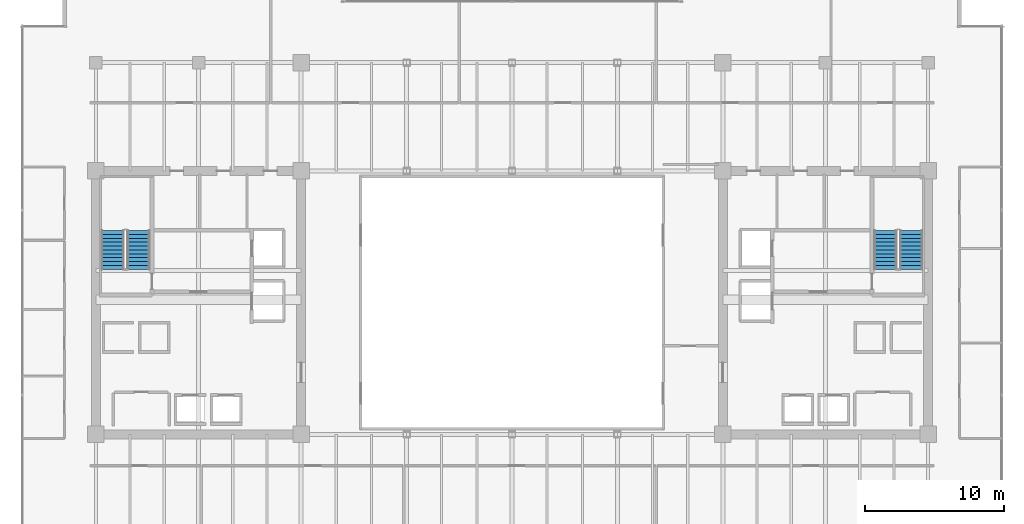
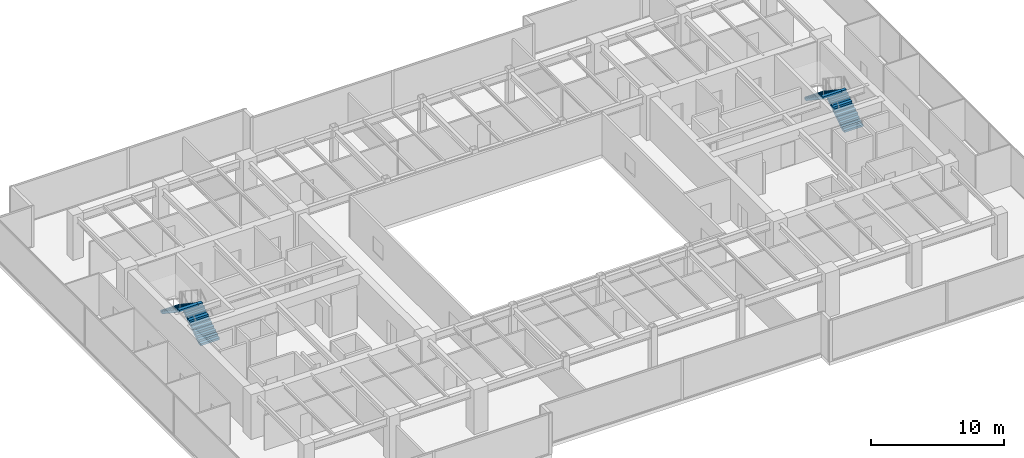
# One storey, part 29 of 31: 4 stair flights, 2 elements without a shape of their own.
"""IFC4 building model written with IfcOpenShell, lengths in metres."""

from ifc_helpers import new_model, si_unit, direction, frame, origin, place, context, subcontext, project, spatial, polyline, outline, extrude, source, transform, mapped, material, type_object, type_shapes, element, aggregate, save


model = new_model("IFC4")

# Units and contexts
model_context = context("Model", 3, precision=1e-05, world=origin(), true_north=direction((0.0, 1.0)))
body_context = subcontext(model_context, "Body", "Model", "MODEL_VIEW")
ifc_project = project(units=[si_unit("LENGTHUNIT", "METRE"), si_unit("AREAUNIT", "SQUARE_METRE"), si_unit("VOLUMEUNIT", "CUBIC_METRE"), si_unit("PLANEANGLEUNIT", "RADIAN"), si_unit("MASSUNIT", "GRAM", prefix="KILO")], contexts=[model_context])

# Site, building, storey
site_placement = place(None, origin())
site = spatial("IfcSite", under=ifc_project, at=site_placement, CompositionType="ELEMENT")
building_placement = place(site_placement, origin())
building = spatial("IfcBuilding", under=site, at=building_placement, Name="Haelvirn Gate Laboratories", CompositionType="ELEMENT")
storey_placement = place(building_placement, frame((0.0, 0.0, 150.199951171875)))
storey = spatial("IfcBuildingStorey", under=building, at=storey_placement, Name="L36", CompositionType="ELEMENT", Elevation=150.199951171875)

# Stair, stair flights
ifc_material = material(Name="Concrete C40/50", Category="concrete")
stair_type = type_object("IfcStairType", Name="ST-DOG-1650-R22", PredefinedType="HALF_TURN_STAIR", material=ifc_material)
stair_1_placement = place(storey_placement, origin())
stair_1 = element("IfcStair", 1, at=stair_1_placement, inside=storey, type_object=stair_type, Name="L36 Escape Stair ST1", PredefinedType="HALF_TURN_STAIR")
stair_flight_type = type_object("IfcStairFlightType", Name="STF-1650-R11", PredefinedType="STRAIGHT", material=ifc_material)
shared_shape = source(origin(), body_context, "Body", "SweptSolid", [
    extrude(outline(polyline([(0.0, 0.0), (0.0, 0.186279296875), (0.280029296875, 0.186279296875), (0.280029296875, 0.372802734375), (0.56005859375, 0.372802734375), (0.56005859375, 0.55908203125), (0.840087890625, 0.55908203125), (0.840087890625, 0.745361328125), (1.1201171875, 0.745361328125), (1.1201171875, 0.931884765625), (1.39990234375, 0.931884765625), (1.39990234375, 1.1181640625), (1.679931640625, 1.1181640625), (1.679931640625, 1.304443359375), (1.9599609375, 1.304443359375), (1.9599609375, 1.490966796875), (2.239990234375, 1.490966796875), (2.239990234375, 1.67724609375), (2.52001953125, 1.67724609375), (2.52001953125, 1.863525390625), (2.800048828125, 1.863525390625), (2.800048828125, 2.050048828125), (2.800048828125, 1.671630859375), (0.28857421875, 0.0), (0.0, 0.0)])), frame((0.0, 0.824951171875, 0.0), z_axis=(0.0, -1.0, 0.0), x_axis=(1.0, 0.0, 0.0)), (0.0, 0.0, 1.0), 1.64990234375),
])
type_shapes(stair_flight_type, [shared_shape])
stair_flight_1_placement = place(storey_placement, frame((10.47509765625, 26.699951171875, 0.0), z_axis=(0.0, 0.0, 1.0), x_axis=(0.0, 1.0, 0.0)))
stair_flight_1 = element("IfcStairFlight", 2, at=stair_flight_1_placement, type_object=stair_flight_type, Name="ST1 flight 1", NumberOfRisers=11, NumberOfTreads=10, PredefinedType="STRAIGHT", RiserHeight=0.186363636, TreadLength=0.28, context=body_context, shape_type="MappedRepresentation", body=[
    mapped(shared_shape, transform((0.0, 0.0, 0.0), scale=1.0)),
])
stair_flight_2_placement = place(storey_placement, frame((8.625, 29.5, 2.050048828125), z_axis=(0.0, 0.0, 1.0), x_axis=(0.0, -1.0, 0.0)))
stair_flight_2 = element("IfcStairFlight", 3, at=stair_flight_2_placement, type_object=stair_flight_type, Name="ST1 flight 2", NumberOfRisers=11, NumberOfTreads=10, PredefinedType="STRAIGHT", RiserHeight=0.186363636, TreadLength=0.28, context=body_context, shape_type="MappedRepresentation", body=[
    mapped(shared_shape, transform((0.0, 0.0, 0.0), scale=1.0)),
])
aggregate(stair_1, [stair_flight_1, stair_flight_2])

stair_2_placement = place(storey_placement, origin())
stair_2 = element("IfcStair", 4, at=stair_2_placement, inside=storey, type_object=stair_type, Name="L36 Escape Stair ST2", PredefinedType="HALF_TURN_STAIR")
stair_flight_3_placement = place(storey_placement, frame((66.175048828125, 26.699951171875, 0.0), z_axis=(0.0, 0.0, 1.0), x_axis=(0.0, 1.0, 0.0)))
stair_flight_3 = element("IfcStairFlight", 5, at=stair_flight_3_placement, type_object=stair_flight_type, Name="ST2 flight 1", NumberOfRisers=11, NumberOfTreads=10, PredefinedType="STRAIGHT", RiserHeight=0.186363636, TreadLength=0.28, context=body_context, shape_type="MappedRepresentation", body=[
    mapped(shared_shape, transform((0.0, 0.0, 0.0), scale=1.0)),
])
stair_flight_4_placement = place(storey_placement, frame((64.324951171875, 29.5, 2.050048828125), z_axis=(0.0, 0.0, 1.0), x_axis=(0.0, -1.0, 0.0)))
stair_flight_4 = element("IfcStairFlight", 6, at=stair_flight_4_placement, type_object=stair_flight_type, Name="ST2 flight 2", NumberOfRisers=11, NumberOfTreads=10, PredefinedType="STRAIGHT", RiserHeight=0.186363636, TreadLength=0.28, context=body_context, shape_type="MappedRepresentation", body=[
    mapped(shared_shape, transform((0.0, 0.0, 0.0), scale=1.0)),
])
aggregate(stair_2, [stair_flight_3, stair_flight_4])

save(model, "model.ifc")
